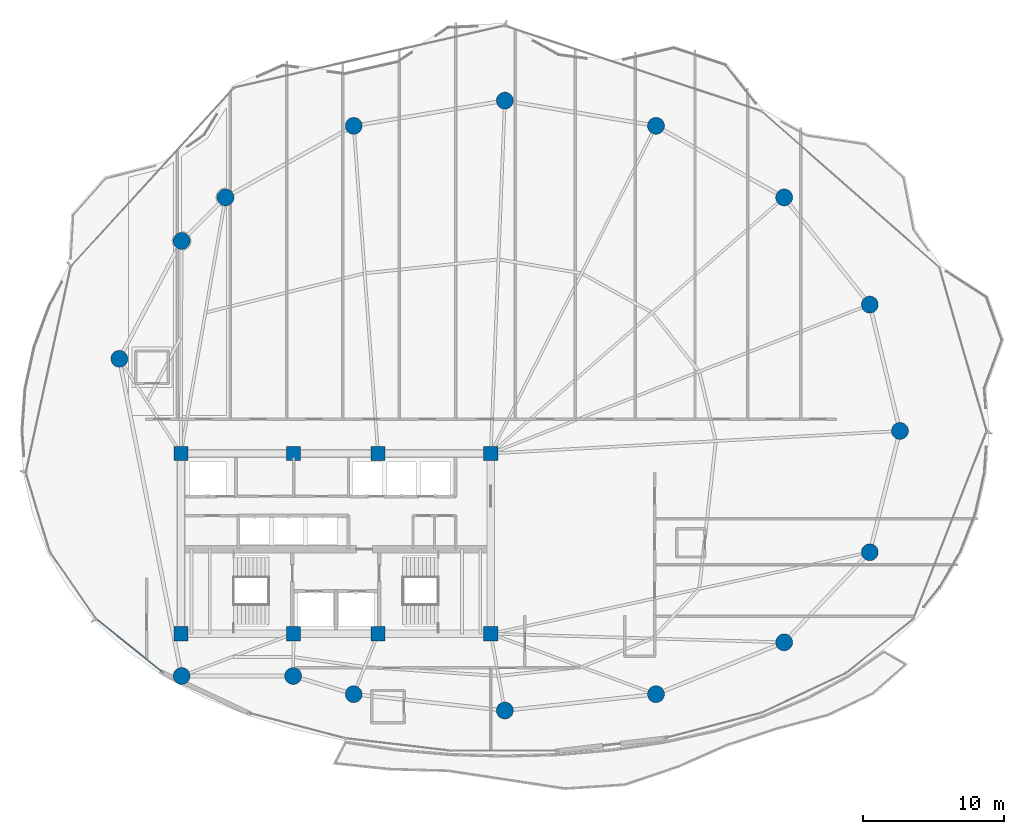
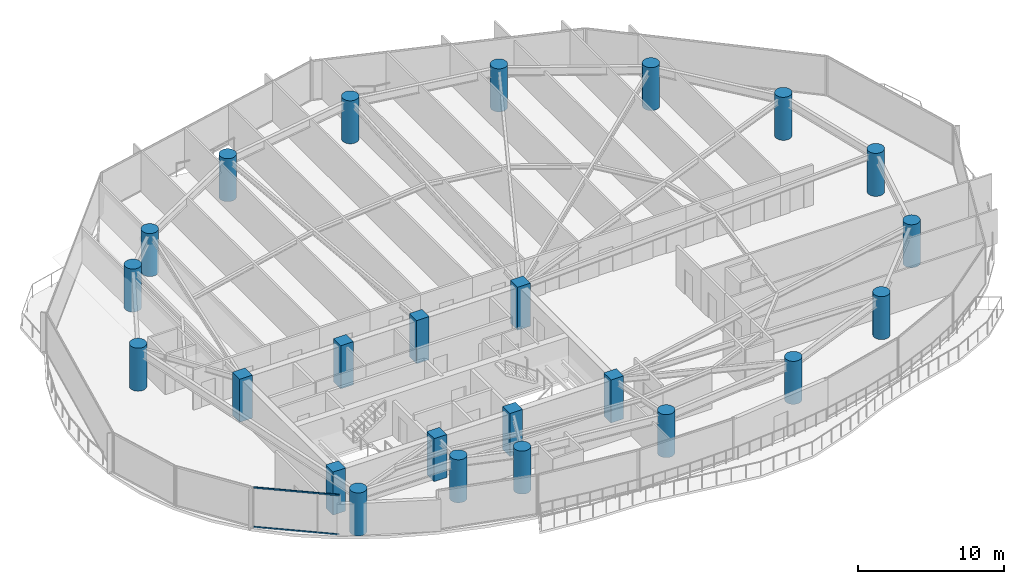
# One storey, part 1 of 34: 24 columns, 2 members, 1 element without a shape of its own.
"""IFC4 building model written with IfcOpenShell, lengths in metres."""

from ifc_helpers import new_model, si_unit, direction, frame, origin, origin_2d, place, context, subcontext, project, spatial, rectangle, hollow_rectangle, circle, extrude, material, layer, layer_set, material_profile, profile_set, type_object, element, aggregate, save


model = new_model("IFC4")

# Units and contexts
model_context = context("Model", 3, precision=1e-05, world=origin(), true_north=direction((0.0, 1.0)))
body_context = subcontext(model_context, "Body", "Model", "MODEL_VIEW")
ifc_project = project(units=[si_unit("LENGTHUNIT", "METRE"), si_unit("AREAUNIT", "SQUARE_METRE"), si_unit("VOLUMEUNIT", "CUBIC_METRE"), si_unit("PLANEANGLEUNIT", "RADIAN"), si_unit("MASSUNIT", "GRAM", prefix="KILO")], contexts=[model_context])

# Site, building, storey
site_placement = place(None, origin())
site = spatial("IfcSite", under=ifc_project, at=site_placement, CompositionType="ELEMENT")
building_placement = place(site_placement, origin())
building = spatial("IfcBuilding", under=site, at=building_placement, Name="Kazevale Care Tower and Concert Hall", CompositionType="ELEMENT")
storey_placement = place(building_placement, frame((0.0, 0.0, 163.800048828125)))
storey = spatial("IfcBuildingStorey", under=building, at=storey_placement, Name="L43", CompositionType="ELEMENT", Elevation=163.800048828125)

# Columns
ifc_material_1 = material(Name="Concrete C60", Category="concrete")
ifc_material_profile_1 = material_profile(ifc_material_1, rectangle(XDim=1.0, YDim=1.0, at=origin_2d()), Name="RC-SQ1000")
ifc_profile_set_1 = profile_set([ifc_material_profile_1], Name="Concrete C60")
column_type_1 = type_object("IfcColumnType", Name="Core Column SQ1000 C60", PredefinedType="COLUMN", material=ifc_profile_set_1)
for number, where, z_axis, x_axis, name in (
    (1, (22.0, 23.60009765625, 0.0), (0.0, 0.0, 1.0), (1.0, 0.0, 0.0), "col:L43:CC-01"),
    (2, (30.0, 23.60009765625, 0.0), (0.0, 0.0, 1.0), (1.0, 0.0, 0.0), "col:L43:CC-02"),
    (3, (36.0, 23.60009765625, 0.0), (0.0, 0.0, 1.0), (1.0, 0.0, 0.0), "col:L43:CC-03"),
    (4, (44.0, 23.60009765625, 0.0), (0.0, 0.0, 1.0), (1.0, 0.0, 0.0), "col:L43:CC-04"),
    (5, (44.0, 36.39990234375, 0.0), (0.0, 0.0, 1.0), (1.0, 0.0, 0.0), "col:L43:CC-05"),
    (6, (36.0, 36.39990234375, 0.0), (0.0, 0.0, 1.0), (1.0, 0.0, 0.0), "col:L43:CC-06"),
    (7, (30.0, 36.39990234375, 0.0), (0.0, 0.0, 1.0), (1.0, 0.0, 0.0), "col:L43:CC-07"),
    (8, (22.0, 36.39990234375, 0.0), (0.0, 0.0, 1.0), (1.0, 0.0, 0.0), "col:L43:CC-08"),
):
    element("IfcColumn", number, at=place(storey_placement, frame(where, z_axis=z_axis, x_axis=x_axis)), inside=storey, type_object=column_type_1, Name=name, PredefinedType="COLUMN", context=body_context, shape_type="SweptSolid", body=[
        extrude(rectangle(XDim=1.0, YDim=1.0, at=origin_2d()), origin(), (0.0, 0.0, 1.0), 3.599853515625),
    ])
ifc_material_profile_2 = material_profile(ifc_material_1, circle(Radius=0.60009765625, at=origin_2d()), Name="RC-CIR1200")
ifc_profile_set_2 = profile_set([ifc_material_profile_2], Name="Concrete C60")
column_type_2 = type_object("IfcColumnType", Name="Perimeter Column CIR1200 C60", PredefinedType="COLUMN", material=ifc_profile_set_2)
for number, where, z_axis, x_axis, name in (
    (9, (73.050048828125, 38.0, 0.0), (0.0, 0.0, 1.0), (1.0, 0.0, 0.0), "col:L43:PC-01"),
    (10, (70.909912109375, 46.969970703125, 0.0), (0.0, 0.0, 1.0), (1.0, 0.0, 0.0), "col:L43:PC-02"),
    (11, (64.830078125, 54.580078125, 0.0), (0.0, 0.0, 1.0), (1.0, 0.0, 0.0), "col:L43:PC-03"),
    (12, (55.72998046875, 59.659912109375, 0.0), (0.0, 0.0, 1.0), (1.0, 0.0, 0.0), "col:L43:PC-04"),
    (13, (45.0, 61.449951171875, 0.0), (0.0, 0.0, 1.0), (1.0, 0.0, 0.0), "col:L43:PC-05"),
    (14, (34.27001953125, 59.659912109375, 0.0), (0.0, 0.0, 1.0), (1.0, 0.0, 0.0), "col:L43:PC-06"),
    (15, (25.169921875, 54.580078125, 0.0), (0.0, 0.0, 1.0), (1.0, 0.0, 0.0), "col:L43:PC-07"),
    (16, (22.050048828125, 51.489990234375, 0.0), (0.0, 0.0, 1.0), (1.0, 0.0, 0.0), "col:L43:PC-08"),
    (17, (17.6298828125, 43.1201171875, 0.0), (0.0, 0.0, 1.0), (1.0, 0.0, 0.0), "col:L43:PC-09"),
    (18, (22.050048828125, 20.60009765625, 0.0), (0.0, 0.0, 1.0), (1.0, 0.0, 0.0), "col:L43:PC-10"),
    (19, (29.969970703125, 20.60009765625, 0.0), (0.0, 0.0, 1.0), (1.0, 0.0, 0.0), "col:L43:PC-11"),
    (20, (34.27001953125, 19.31005859375, 0.0), (0.0, 0.0, 1.0), (1.0, 0.0, 0.0), "col:L43:PC-12"),
    (21, (45.0, 18.14990234375, 0.0), (0.0, 0.0, 1.0), (1.0, 0.0, 0.0), "col:L43:PC-13"),
    (22, (55.72998046875, 19.31005859375, 0.0), (0.0, 0.0, 1.0), (1.0, 0.0, 0.0), "col:L43:PC-14"),
    (23, (64.830078125, 22.989990234375, 0.0), (0.0, 0.0, 1.0), (1.0, 0.0, 0.0), "col:L43:PC-15"),
    (24, (70.909912109375, 29.389892578125, 0.0), (0.0, 0.0, 1.0), (1.0, 0.0, 0.0), "col:L43:PC-16"),
):
    element("IfcColumn", number, at=place(storey_placement, frame(where, z_axis=z_axis, x_axis=x_axis)), inside=storey, type_object=column_type_2, Name=name, PredefinedType="COLUMN", context=body_context, shape_type="SweptSolid", body=[
        extrude(circle(Radius=0.60009765625, at=origin_2d()), origin(), (0.0, 0.0, 1.0), 3.599853515625),
    ])

# Curtain wall, members
ifc_material_2 = material(Name="Aluminium 6063-T6 and Low-E Glass", Category="aluminium")
ifc_layer = layer(ifc_material_2, 0.179931640625)
ifc_layer_set = layer_set([ifc_layer], Name="Aluminium 6063-T6 and Low-E Glass")
curtain_wall_type = type_object("IfcCurtainWallType", Name="Sheltered Concave Balcony Curtain Wall CW-5", PredefinedType="NOTDEFINED", material=ifc_layer_set)
curtain_wall_placement = place(storey_placement, origin())
curtain_wall = element("IfcCurtainWall", 25, at=curtain_wall_placement, inside=storey, type_object=curtain_wall_type, Name="cw:L43:f10", PredefinedType="NOTDEFINED")
ifc_material_3 = material(Name="Aluminium 6063-T6", Category="aluminium")
ifc_material_profile_3 = material_profile(ifc_material_3, hollow_rectangle(XDim=0.074951171875, YDim=0.1201171875, WallThickness=0.00390625, at=origin_2d()), Name="ALU75x120x4")
ifc_profile_set_3 = profile_set([ifc_material_profile_3], Name="Aluminium 6063-T6")
member_type = type_object("IfcMemberType", Name="CW-5 Transom ALU75x120x4", PredefinedType="USERDEFINED", material=ifc_profile_set_3)
member_1_placement = place(storey_placement, frame((20.711669921875, 20.85009765625, 0.037353515625), z_axis=(-0.779097461373, 0.626902819966, 0.0), x_axis=(-0.626902819966, -0.779097461373, 0.0)))
member_1 = element("IfcMember", 26, at=member_1_placement, type_object=member_type, Name="CW-5 transom 1.1", ObjectType="TRANSOM", PredefinedType="USERDEFINED", context=body_context, shape_type="SweptSolid", body=[
    extrude(hollow_rectangle(XDim=0.074951171875, YDim=0.1201171875, WallThickness=0.00390625, at=origin_2d()), origin(), (0.0, 0.0, 1.0), 5.96728515625),
])
member_2_placement = place(storey_placement, frame((20.711669921875, 20.85009765625, 3.322509765625), z_axis=(-0.779097461373, 0.626902819966, 0.0), x_axis=(-0.626902819966, -0.779097461373, 0.0)))
member_2 = element("IfcMember", 27, at=member_2_placement, type_object=member_type, Name="CW-5 transom 1.2", ObjectType="TRANSOM", PredefinedType="USERDEFINED", context=body_context, shape_type="SweptSolid", body=[
    extrude(hollow_rectangle(XDim=0.074951171875, YDim=0.1201171875, WallThickness=0.00390625, at=origin_2d()), origin(), (0.0, 0.0, 1.0), 5.96728515625),
])
aggregate(curtain_wall, [member_1, member_2])

save(model, "model.ifc")
